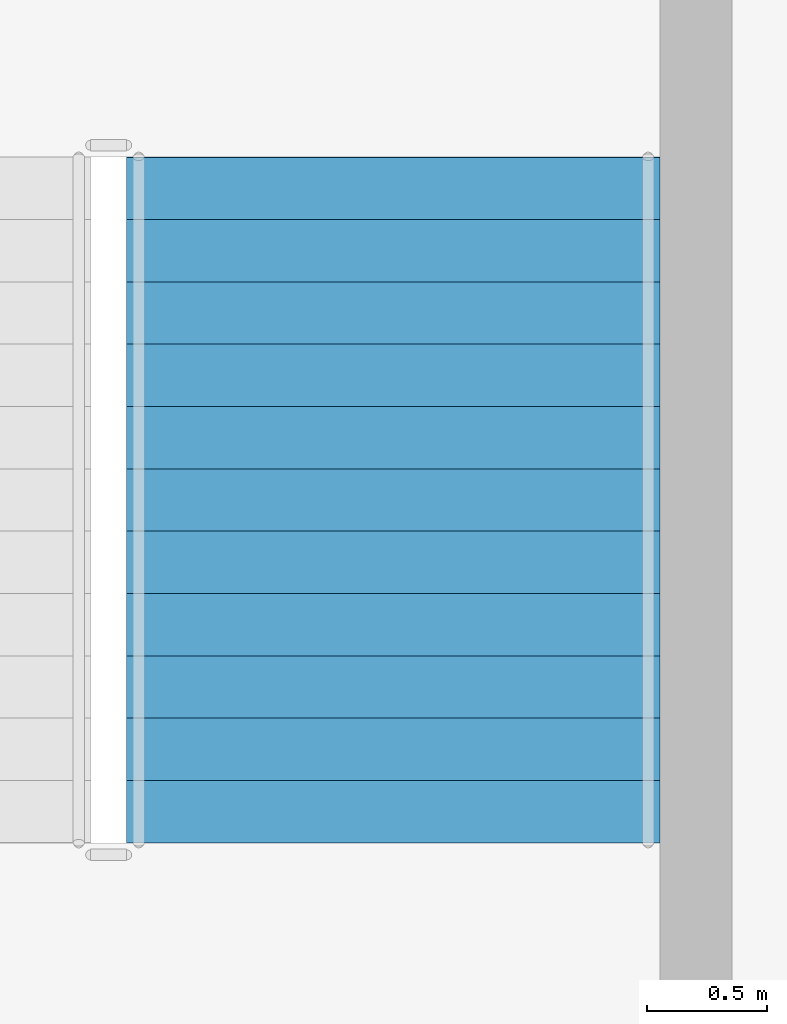
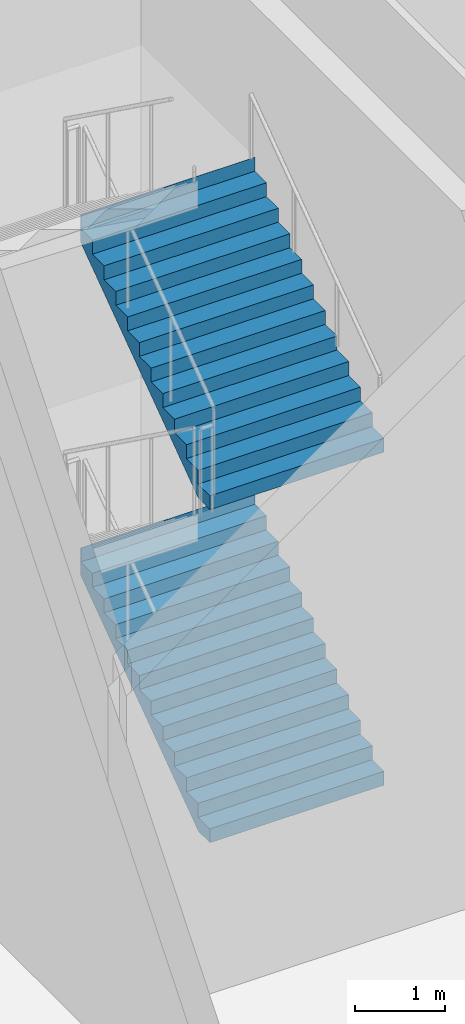
# One storey, part 24 of 35: 2 stair flights, 1 element without a shape of its own.
"""IFC4 building model written with IfcOpenShell, lengths in metres."""

import ifcopenshell
import ifcopenshell.guid

model = None  # the IFC model being written
_history = None  # IfcOwnerHistory: only IFC2X3 demands one
_inside = {}  # id of a spatial element -> (the spatial element, [elements in it])
_under = {}  # id of a project, library or spatial element -> (it, [spatial elements below it])
_declared = {}  # id of a project -> (the project, [libraries it declares])
_typed = {}  # id of a type object -> (the type object, [elements of that type])
_made_of = {}  # id of a material, layer set ... -> (it, [elements and type objects made of it])


def new_model(schema):
    """Start an empty IFC model of exactly this schema.

    Asked for "IFC4X3", IfcOpenShell would pick the latest addendum, in which some entities
    have other attributes; the version numbers below select the first issue.
    IFC2X3 requires an IfcOwnerHistory on every rooted entity: one is made here for all.
    """
    global model, _history
    if schema == "IFC4X3":
        model = ifcopenshell.file(schema_version=(4, 3, 0, 0))
    else:
        model = ifcopenshell.file(schema=schema)
    _inside.clear()
    _under.clear()
    _declared.clear()
    _typed.clear()
    _made_of.clear()
    _history = None
    if model.schema == "IFC2X3":
        org = make("IfcOrganization", Name="unknown")
        user = make(
            "IfcPersonAndOrganization",
            ThePerson=make("IfcPerson", FamilyName="unknown"),
            TheOrganization=org,
        )
        app = make(
            "IfcApplication",
            ApplicationDeveloper=org,
            Version="unknown",
            ApplicationFullName="unknown",
            ApplicationIdentifier="unknown",
        )
        _history = make(
            "IfcOwnerHistory",
            OwningUser=user,
            OwningApplication=app,
            ChangeAction="ADDED",
            CreationDate=0,
        )
    return model


def make(cls, **values):
    """One entity of the class cls with the attributes given. An attribute that is None is left unset."""
    return model.create_entity(
        cls, **{name: value for name, value in values.items() if value is not None}
    )


def rooted(cls, **values):
    """An entity with a GlobalId (a new one), such as an element, a storey or a relation."""
    return make(cls, GlobalId=ifcopenshell.guid.new(), OwnerHistory=_history, **values)


def si_unit(unit_type, name, prefix=None):
    """IfcSIUnit, for example si_unit("LENGTHUNIT", "METRE", prefix="MILLI")."""
    return make("IfcSIUnit", UnitType=unit_type, Prefix=prefix, Name=name)


def assignment(units):
    """IfcUnitAssignment: the units of a project."""
    return None if units is None else make("IfcUnitAssignment", Units=units)


def point(xyz):
    """IfcCartesianPoint."""
    return None if xyz is None else make("IfcCartesianPoint", Coordinates=xyz)


def direction(xyz):
    """IfcDirection."""
    return None if xyz is None else make("IfcDirection", DirectionRatios=xyz)


def frame(location, z_axis=None, x_axis=None):
    """IfcAxis2Placement3D, a coordinate frame: its origin and axes. An axis left out is left unset."""
    return make(
        "IfcAxis2Placement3D",
        Location=point(location),
        Axis=direction(z_axis),
        RefDirection=direction(x_axis),
    )


def origin():
    """The frame at (0, 0, 0) with its axes left unset."""
    return frame((0.0, 0.0, 0.0))


def place(relative_to, where):
    """IfcLocalPlacement: puts the frame where relative to a parent placement (None: the world)."""
    return make(
        "IfcLocalPlacement", PlacementRelTo=relative_to, RelativePlacement=where
    )


def context(
    kind, dimensions, precision=None, world=None, true_north=None, identifier=None
):
    """IfcGeometricRepresentationContext, for example the 3D "Model" context."""
    return make(
        "IfcGeometricRepresentationContext",
        ContextIdentifier=identifier,
        ContextType=kind,
        CoordinateSpaceDimension=dimensions,
        Precision=precision,
        WorldCoordinateSystem=world,
        TrueNorth=true_north,
    )


def subcontext(parent, identifier, kind, view, scale=None):
    """IfcGeometricRepresentationSubContext, for example "Body" below "Model"."""
    return make(
        "IfcGeometricRepresentationSubContext",
        ContextIdentifier=identifier,
        ContextType=kind,
        ParentContext=parent,
        TargetScale=scale,
        TargetView=view,
    )


def project(units=None, contexts=None):
    """IfcProject with its units and contexts."""
    return rooted(
        "IfcProject",
        Name="project",
        RepresentationContexts=contexts,
        UnitsInContext=assignment(units),
    )


def spatial(cls, under=None, at=None, **own):
    """A site, building, storey or space (cls), placed at a placement, below another one or the project."""
    s = rooted(cls, ObjectPlacement=at, **own)
    if under is not None:
        _under.setdefault(under.id(), (under, []))[1].append(s)
    return s


def point_list(points):
    """IfcCartesianPointList2D or 3D."""
    cls = (
        "IfcCartesianPointList2D" if len(points[0]) == 2 else "IfcCartesianPointList3D"
    )
    return make(cls, CoordList=points)


def triangles(points, corners, closed=None, point_numbers=None):
    """IfcTriangulatedFaceSet: each triangle names its three corners, points numbered from 1."""
    return make(
        "IfcTriangulatedFaceSet",
        Coordinates=point_list(points),
        Closed=closed,
        CoordIndex=corners,
        PnIndex=point_numbers,
    )


def shape(context_of_items, identifier, shape_type, items):
    """IfcShapeRepresentation: the items that make up one representation, for example the "Body"."""
    return make(
        "IfcShapeRepresentation",
        ContextOfItems=context_of_items,
        RepresentationIdentifier=identifier,
        RepresentationType=shape_type,
        Items=items,
    )


def material(Name=None, Category=None):
    """IfcMaterial."""
    return make("IfcMaterial", Name=Name, Category=Category)


def made_of(thing, what):
    """Note that an element or type object is made of a material, layer set ...; save() writes the relation."""
    if what is not None:
        _made_of.setdefault(what.id(), (what, []))[1].append(thing)
    return thing


def type_object(cls, material=None, **own):
    """A type object (cls), such as IfcWallType, which elements share."""
    return made_of(rooted(cls, **own), material)


def element(
    cls,
    number,
    at=None,
    inside=None,
    cuts=None,
    type_object=None,
    material=None,
    context=None,
    identifier="Body",
    shape_type=None,
    held_by="IfcProductDefinitionShape",
    body=None,
    shapes=None,
    **own,
):
    """One element of the class cls, such as IfcWall. Its Tag is "e" and its number.

    at: its placement. inside: the storey or other place that contains it. cuts: it is an
    opening in that element (IfcRelVoidsElement). A single representation is given by context,
    identifier, shape_type and body (its items); several are given by shapes. held_by: the class
    of the entity that holds the representations. save() writes the other relations.
    """
    e = rooted(cls, Tag="e%d" % number, ObjectPlacement=at, **own)
    if body is not None:
        shapes = [shape(context, identifier, shape_type, body)]
    if shapes is not None:
        e.Representation = make(held_by, Representations=shapes)
    if inside is not None:
        _inside.setdefault(inside.id(), (inside, []))[1].append(e)
    if cuts is not None:
        rooted(
            "IfcRelVoidsElement", RelatingBuildingElement=cuts, RelatedOpeningElement=e
        )
    if type_object is not None:
        _typed.setdefault(type_object.id(), (type_object, []))[1].append(e)
    return made_of(e, material)


def aggregate(whole, parts):
    """IfcRelAggregates: a whole, such as a stair, and the parts it consists of."""
    return rooted("IfcRelAggregates", RelatingObject=whole, RelatedObjects=parts)


def save(model, path):
    """Write the relations noted so far, then the file.

    IfcRelAggregates (storeys below a building ...), IfcRelContainedInSpatialStructure (elements
    in a storey), IfcRelDefinesByType, IfcRelAssociatesMaterial and IfcRelDeclares: one each for
    every whole, place, type object, material and project.
    """
    for whole, parts in _under.values():
        aggregate(whole, parts)
    for where, things in _inside.values():
        rooted(
            "IfcRelContainedInSpatialStructure",
            RelatedElements=things,
            RelatingStructure=where,
        )
    for kind, things in _typed.values():
        rooted("IfcRelDefinesByType", RelatedObjects=things, RelatingType=kind)
    for what, things in _made_of.values():
        rooted("IfcRelAssociatesMaterial", RelatedObjects=things, RelatingMaterial=what)
    for by, libraries in _declared.values():
        rooted("IfcRelDeclares", RelatingContext=by, RelatedDefinitions=libraries)
    model.write(path)


model = new_model("IFC4")

# Units and contexts
model_context = context("Model", 3, precision=1e-05, world=origin(), true_north=direction((0.0, 1.0)))
body_context = subcontext(model_context, "Body", "Model", "MODEL_VIEW")
ifc_project = project(units=[si_unit("LENGTHUNIT", "METRE"), si_unit("AREAUNIT", "SQUARE_METRE"), si_unit("VOLUMEUNIT", "CUBIC_METRE"), si_unit("PLANEANGLEUNIT", "RADIAN"), si_unit("MASSUNIT", "GRAM", prefix="KILO")], contexts=[model_context])

# Site, building, storey
site_placement = place(None, origin())
site = spatial("IfcSite", under=ifc_project, at=site_placement, CompositionType="ELEMENT")
building_placement = place(site_placement, origin())
building = spatial("IfcBuilding", under=site, at=building_placement, Name="Sahrelin Media Tower", CompositionType="ELEMENT")
storey_placement = place(building_placement, frame((0.0, 0.0, 17.0)))
storey = spatial("IfcBuildingStorey", under=building, at=storey_placement, Name="L02", CompositionType="ELEMENT", Elevation=17.0)

# Stair, stair flights
ifc_material = material(Name="Concrete C40/50", Category="concrete")
stair_type = type_object("IfcStairType", Name="Podium stair 2225", PredefinedType="HALF_TURN_STAIR", material=ifc_material)
stair_placement = place(storey_placement, origin())
stair = element("IfcStair", 1, at=stair_placement, inside=storey, type_object=stair_type, Name="L02 Podium stair PS2", PredefinedType="HALF_TURN_STAIR")
stair_flight_type = type_object("IfcStairFlightType", Name="Stair flight 2225", PredefinedType="STRAIGHT", material=ifc_material)
stair_flight_1_placement = place(storey_placement, frame((-9.46240234375, 30.625, 0.0), z_axis=(0.0, 0.0, 1.0), x_axis=(0.0, 1.0, 0.0)))
stair_flight_1 = element("IfcStairFlight", 2, at=stair_flight_1_placement, type_object=stair_flight_type, Name="PS2 flight 1", NumberOfRisers=12, NumberOfTreads=11, PredefinedType="STRAIGHT", RiserHeight=0.1875, TreadLength=0.26, context=body_context, shape_type="Tessellation", body=[
    triangles([(0.25634765625, 1.112548828125, 0.0), (0.25634765625, 0.794677734375, 0.0), (0.25634765625, 0.476806640625, 0.0), (0.25634765625, 0.158935546875, 0.0), (0.25634765625, -0.158935546875, 0.0), (0.25634765625, -0.476806640625, 0.0), (0.25634765625, -0.794677734375, 0.0), (0.25634765625, -1.112548828125, 0.0), (2.860107421875, 1.112548828125, 1.877685546875), (2.860107421875, 0.794677734375, 1.877685546875), (2.860107421875, 0.476806640625, 1.877685546875), (2.860107421875, 0.158935546875, 1.877685546875), (2.860107421875, -0.158935546875, 1.877685546875), (2.860107421875, -0.476806640625, 1.877685546875), (2.860107421875, -0.794677734375, 1.877685546875), (2.860107421875, -1.112548828125, 1.877685546875), (2.860107421875, 1.112548828125, 2.25), (2.860107421875, 0.794677734375, 2.25), (2.860107421875, 0.476806640625, 2.25), (2.860107421875, 0.158935546875, 2.25), (2.860107421875, -0.158935546875, 2.25), (2.860107421875, -0.476806640625, 2.25), (2.860107421875, -0.794677734375, 2.25), (2.860107421875, -1.112548828125, 2.25), (2.85791015625, 1.112548828125, 2.25), (2.85791015625, 0.794677734375, 2.25), (2.85791015625, 0.476806640625, 2.25), (2.85791015625, 0.158935546875, 2.25), (2.85791015625, -0.158935546875, 2.25), (2.85791015625, -0.476806640625, 2.25), (2.85791015625, -0.794677734375, 2.25), (2.85791015625, -1.112548828125, 2.25), (2.85791015625, 1.112548828125, 2.0625), (2.85791015625, 0.794677734375, 2.0625), (2.85791015625, 0.476806640625, 2.0625), (2.85791015625, 0.158935546875, 2.0625), (2.85791015625, -0.158935546875, 2.0625), (2.85791015625, -0.476806640625, 2.0625), (2.85791015625, -0.794677734375, 2.0625), (2.85791015625, -1.112548828125, 2.0625), (2.60009765625, 1.112548828125, 2.0625), (2.60009765625, 0.794677734375, 2.0625), (2.60009765625, 0.476806640625, 2.0625), (2.60009765625, 0.158935546875, 2.0625), (2.60009765625, -0.158935546875, 2.0625), (2.60009765625, -0.476806640625, 2.0625), (2.60009765625, -0.794677734375, 2.0625), (2.60009765625, -1.112548828125, 2.0625), (2.60009765625, 1.112548828125, 1.875), (2.60009765625, 0.794677734375, 1.875), (2.60009765625, 0.476806640625, 1.875), (2.60009765625, 0.158935546875, 1.875), (2.60009765625, -0.158935546875, 1.875), (2.60009765625, -0.476806640625, 1.875), (2.60009765625, -0.794677734375, 1.875), (2.60009765625, -1.112548828125, 1.875), (2.340087890625, 1.112548828125, 1.875), (2.340087890625, 0.794677734375, 1.875), (2.340087890625, 0.476806640625, 1.875), (2.340087890625, 0.158935546875, 1.875), (2.340087890625, -0.158935546875, 1.875), (2.340087890625, -0.476806640625, 1.875), (2.340087890625, -0.794677734375, 1.875), (2.340087890625, -1.112548828125, 1.875), (2.340087890625, 1.112548828125, 1.6875), (2.340087890625, 0.794677734375, 1.6875), (2.340087890625, 0.476806640625, 1.6875), (2.340087890625, 0.158935546875, 1.6875), (2.340087890625, -0.158935546875, 1.6875), (2.340087890625, -0.476806640625, 1.6875), (2.340087890625, -0.794677734375, 1.6875), (2.340087890625, -1.112548828125, 1.6875), (2.080078125, 1.112548828125, 1.6875), (2.080078125, 0.794677734375, 1.6875), (2.080078125, 0.476806640625, 1.6875), (2.080078125, 0.158935546875, 1.6875), (2.080078125, -0.158935546875, 1.6875), (2.080078125, -0.476806640625, 1.6875), (2.080078125, -0.794677734375, 1.6875), (2.080078125, -1.112548828125, 1.6875), (2.080078125, 1.112548828125, 1.5), (2.080078125, 0.794677734375, 1.5), (2.080078125, 0.476806640625, 1.5), (2.080078125, 0.158935546875, 1.5), (2.080078125, -0.158935546875, 1.5), (2.080078125, -0.476806640625, 1.5), (2.080078125, -0.794677734375, 1.5), (2.080078125, -1.112548828125, 1.5), (1.820068359375, 1.112548828125, 1.5), (1.820068359375, 0.794677734375, 1.5), (1.820068359375, 0.476806640625, 1.5), (1.820068359375, 0.158935546875, 1.5), (1.820068359375, -0.158935546875, 1.5), (1.820068359375, -0.476806640625, 1.5), (1.820068359375, -0.794677734375, 1.5), (1.820068359375, -1.112548828125, 1.5), (1.820068359375, 1.112548828125, 1.3125), (1.820068359375, 0.794677734375, 1.3125), (1.820068359375, 0.476806640625, 1.3125), (1.820068359375, 0.158935546875, 1.3125), (1.820068359375, -0.158935546875, 1.3125), (1.820068359375, -0.476806640625, 1.3125), (1.820068359375, -0.794677734375, 1.3125), (1.820068359375, -1.112548828125, 1.3125), (1.56005859375, 1.112548828125, 1.3125), (1.56005859375, 0.794677734375, 1.3125), (1.56005859375, 0.476806640625, 1.3125), (1.56005859375, 0.158935546875, 1.3125), (1.56005859375, -0.158935546875, 1.3125), (1.56005859375, -0.476806640625, 1.3125), (1.56005859375, -0.794677734375, 1.3125), (1.56005859375, -1.112548828125, 1.3125), (1.56005859375, 1.112548828125, 1.125), (1.56005859375, 0.794677734375, 1.125), (1.56005859375, 0.476806640625, 1.125), (1.56005859375, 0.158935546875, 1.125), (1.56005859375, -0.158935546875, 1.125), (1.56005859375, -0.476806640625, 1.125), (1.56005859375, -0.794677734375, 1.125), (1.56005859375, -1.112548828125, 1.125), (1.300048828125, 1.112548828125, 1.125), (1.300048828125, 0.794677734375, 1.125), (1.300048828125, 0.476806640625, 1.125), (1.300048828125, 0.158935546875, 1.125), (1.300048828125, -0.158935546875, 1.125), (1.300048828125, -0.476806640625, 1.125), (1.300048828125, -0.794677734375, 1.125), (1.300048828125, -1.112548828125, 1.125), (1.300048828125, 1.112548828125, 0.9375), (1.300048828125, 0.794677734375, 0.9375), (1.300048828125, 0.476806640625, 0.9375), (1.300048828125, 0.158935546875, 0.9375), (1.300048828125, -0.158935546875, 0.9375), (1.300048828125, -0.476806640625, 0.9375), (1.300048828125, -0.794677734375, 0.9375), (1.300048828125, -1.112548828125, 0.9375), (1.0400390625, 1.112548828125, 0.9375), (1.0400390625, 0.794677734375, 0.9375), (1.0400390625, 0.476806640625, 0.9375), (1.0400390625, 0.158935546875, 0.9375), (1.0400390625, -0.158935546875, 0.9375), (1.0400390625, -0.476806640625, 0.9375), (1.0400390625, -0.794677734375, 0.9375), (1.0400390625, -1.112548828125, 0.9375), (1.0400390625, 1.112548828125, 0.75), (1.0400390625, 0.794677734375, 0.75), (1.0400390625, 0.476806640625, 0.75), (1.0400390625, 0.158935546875, 0.75), (1.0400390625, -0.158935546875, 0.75), (1.0400390625, -0.476806640625, 0.75), (1.0400390625, -0.794677734375, 0.75), (1.0400390625, -1.112548828125, 0.75), (0.780029296875, 1.112548828125, 0.75), (0.780029296875, 0.794677734375, 0.75), (0.780029296875, 0.476806640625, 0.75), (0.780029296875, 0.158935546875, 0.75), (0.780029296875, -0.158935546875, 0.75), (0.780029296875, -0.476806640625, 0.75), (0.780029296875, -0.794677734375, 0.75), (0.780029296875, -1.112548828125, 0.75), (0.780029296875, 1.112548828125, 0.5625), (0.780029296875, 0.794677734375, 0.5625), (0.780029296875, 0.476806640625, 0.5625), (0.780029296875, 0.158935546875, 0.5625), (0.780029296875, -0.158935546875, 0.5625), (0.780029296875, -0.476806640625, 0.5625), (0.780029296875, -0.794677734375, 0.5625), (0.780029296875, -1.112548828125, 0.5625), (0.52001953125, 1.112548828125, 0.5625), (0.52001953125, 0.794677734375, 0.5625), (0.52001953125, 0.476806640625, 0.5625), (0.52001953125, 0.158935546875, 0.5625), (0.52001953125, -0.158935546875, 0.5625), (0.52001953125, -0.476806640625, 0.5625), (0.52001953125, -0.794677734375, 0.5625), (0.52001953125, -1.112548828125, 0.5625), (0.52001953125, 1.112548828125, 0.375), (0.52001953125, 0.794677734375, 0.375), (0.52001953125, 0.476806640625, 0.375), (0.52001953125, 0.158935546875, 0.375), (0.52001953125, -0.158935546875, 0.375), (0.52001953125, -0.476806640625, 0.375), (0.52001953125, -0.794677734375, 0.375), (0.52001953125, -1.112548828125, 0.375), (0.260009765625, 1.112548828125, 0.375), (0.260009765625, 0.794677734375, 0.375), (0.260009765625, 0.476806640625, 0.375), (0.260009765625, 0.158935546875, 0.375), (0.260009765625, -0.158935546875, 0.375), (0.260009765625, -0.476806640625, 0.375), (0.260009765625, -0.794677734375, 0.375), (0.260009765625, -1.112548828125, 0.375), (0.260009765625, 1.112548828125, 0.1875), (0.260009765625, 0.794677734375, 0.1875), (0.260009765625, 0.476806640625, 0.1875), (0.260009765625, 0.158935546875, 0.1875), (0.260009765625, -0.158935546875, 0.1875), (0.260009765625, -0.476806640625, 0.1875), (0.260009765625, -0.794677734375, 0.1875), (0.260009765625, -1.112548828125, 0.1875), (0.0, 1.112548828125, 0.1875), (0.0, 0.794677734375, 0.1875), (0.0, 0.476806640625, 0.1875), (0.0, 0.158935546875, 0.1875), (0.0, -0.158935546875, 0.1875), (0.0, -0.476806640625, 0.1875), (0.0, -0.794677734375, 0.1875), (0.0, -1.112548828125, 0.1875), (0.0, 1.112548828125, 0.0), (0.0, 0.794677734375, 0.0), (0.0, 0.476806640625, 0.0), (0.0, 0.158935546875, 0.0), (0.0, -0.158935546875, 0.0), (0.0, -0.476806640625, 0.0), (0.0, -0.794677734375, 0.0), (0.0, -1.112548828125, 0.0)], [[1, 9, 10], [1, 10, 2], [2, 10, 11], [2, 11, 3], [3, 11, 12], [3, 12, 4], [4, 12, 13], [4, 13, 5], [5, 13, 14], [5, 14, 6], [6, 14, 15], [6, 15, 7], [7, 15, 16], [7, 16, 8], [9, 17, 18], [9, 18, 10], [10, 18, 19], [10, 19, 11], [11, 19, 20], [11, 20, 12], [12, 20, 21], [12, 21, 13], [13, 21, 22], [13, 22, 14], [14, 22, 23], [14, 23, 15], [15, 23, 24], [15, 24, 16], [17, 25, 26], [17, 26, 18], [18, 26, 27], [18, 27, 19], [19, 27, 28], [19, 28, 20], [20, 28, 29], [20, 29, 21], [21, 29, 30], [21, 30, 22], [22, 30, 31], [22, 31, 23], [23, 31, 32], [23, 32, 24], [25, 33, 34], [25, 34, 26], [26, 34, 35], [26, 35, 27], [27, 35, 36], [27, 36, 28], [28, 36, 37], [28, 37, 29], [29, 37, 38], [29, 38, 30], [30, 38, 39], [30, 39, 31], [31, 39, 40], [31, 40, 32], [33, 41, 42], [33, 42, 34], [34, 42, 43], [34, 43, 35], [35, 43, 44], [35, 44, 36], [36, 44, 45], [36, 45, 37], [37, 45, 46], [37, 46, 38], [38, 46, 47], [38, 47, 39], [39, 47, 48], [39, 48, 40], [41, 49, 50], [41, 50, 42], [42, 50, 51], [42, 51, 43], [43, 51, 52], [43, 52, 44], [44, 52, 53], [44, 53, 45], [45, 53, 54], [45, 54, 46], [46, 54, 55], [46, 55, 47], [47, 55, 56], [47, 56, 48], [49, 57, 58], [49, 58, 50], [50, 58, 59], [50, 59, 51], [51, 59, 60], [51, 60, 52], [52, 60, 61], [52, 61, 53], [53, 61, 62], [53, 62, 54], [54, 62, 63], [54, 63, 55], [55, 63, 64], [55, 64, 56], [57, 65, 66], [57, 66, 58], [58, 66, 67], [58, 67, 59], [59, 67, 68], [59, 68, 60], [60, 68, 69], [60, 69, 61], [61, 69, 70], [61, 70, 62], [62, 70, 71], [62, 71, 63], [63, 71, 72], [63, 72, 64], [65, 73, 74], [65, 74, 66], [66, 74, 75], [66, 75, 67], [67, 75, 76], [67, 76, 68], [68, 76, 77], [68, 77, 69], [69, 77, 78], [69, 78, 70], [70, 78, 79], [70, 79, 71], [71, 79, 80], [71, 80, 72], [73, 81, 82], [73, 82, 74], [74, 82, 83], [74, 83, 75], [75, 83, 84], [75, 84, 76], [76, 84, 85], [76, 85, 77], [77, 85, 86], [77, 86, 78], [78, 86, 87], [78, 87, 79], [79, 87, 88], [79, 88, 80], [81, 89, 90], [81, 90, 82], [82, 90, 91], [82, 91, 83], [83, 91, 92], [83, 92, 84], [84, 92, 93], [84, 93, 85], [85, 93, 94], [85, 94, 86], [86, 94, 95], [86, 95, 87], [87, 95, 96], [87, 96, 88], [89, 97, 98], [89, 98, 90], [90, 98, 99], [90, 99, 91], [91, 99, 100], [91, 100, 92], [92, 100, 101], [92, 101, 93], [93, 101, 102], [93, 102, 94], [94, 102, 103], [94, 103, 95], [95, 103, 104], [95, 104, 96], [97, 105, 106], [97, 106, 98], [98, 106, 107], [98, 107, 99], [99, 107, 108], [99, 108, 100], [100, 108, 109], [100, 109, 101], [101, 109, 110], [101, 110, 102], [102, 110, 111], [102, 111, 103], [103, 111, 112], [103, 112, 104], [105, 113, 114], [105, 114, 106], [106, 114, 115], [106, 115, 107], [107, 115, 116], [107, 116, 108], [108, 116, 117], [108, 117, 109], [109, 117, 118], [109, 118, 110], [110, 118, 119], [110, 119, 111], [111, 119, 120], [111, 120, 112], [113, 121, 122], [113, 122, 114], [114, 122, 123], [114, 123, 115], [115, 123, 124], [115, 124, 116], [116, 124, 125], [116, 125, 117], [117, 125, 126], [117, 126, 118], [118, 126, 127], [118, 127, 119], [119, 127, 128], [119, 128, 120], [121, 129, 130], [121, 130, 122], [122, 130, 131], [122, 131, 123], [123, 131, 132], [123, 132, 124], [124, 132, 133], [124, 133, 125], [125, 133, 134], [125, 134, 126], [126, 134, 135], [126, 135, 127], [127, 135, 136], [127, 136, 128], [129, 137, 138], [129, 138, 130], [130, 138, 139], [130, 139, 131], [131, 139, 140], [131, 140, 132], [132, 140, 141], [132, 141, 133], [133, 141, 142], [133, 142, 134], [134, 142, 143], [134, 143, 135], [135, 143, 144], [135, 144, 136], [137, 145, 146], [137, 146, 138], [138, 146, 147], [138, 147, 139], [139, 147, 148], [139, 148, 140], [140, 148, 149], [140, 149, 141], [141, 149, 150], [141, 150, 142], [142, 150, 151], [142, 151, 143], [143, 151, 152], [143, 152, 144], [145, 153, 154], [145, 154, 146], [146, 154, 155], [146, 155, 147], [147, 155, 156], [147, 156, 148], [148, 156, 157], [148, 157, 149], [149, 157, 158], [149, 158, 150], [150, 158, 159], [150, 159, 151], [151, 159, 160], [151, 160, 152], [153, 161, 162], [153, 162, 154], [154, 162, 163], [154, 163, 155], [155, 163, 164], [155, 164, 156], [156, 164, 165], [156, 165, 157], [157, 165, 166], [157, 166, 158], [158, 166, 167], [158, 167, 159], [159, 167, 168], [159, 168, 160], [161, 169, 170], [161, 170, 162], [162, 170, 171], [162, 171, 163], [163, 171, 172], [163, 172, 164], [164, 172, 173], [164, 173, 165], [165, 173, 174], [165, 174, 166], [166, 174, 175], [166, 175, 167], [167, 175, 176], [167, 176, 168], [169, 177, 178], [169, 178, 170], [170, 178, 179], [170, 179, 171], [171, 179, 180], [171, 180, 172], [172, 180, 181], [172, 181, 173], [173, 181, 182], [173, 182, 174], [174, 182, 183], [174, 183, 175], [175, 183, 184], [175, 184, 176], [177, 185, 186], [177, 186, 178], [178, 186, 187], [178, 187, 179], [179, 187, 188], [179, 188, 180], [180, 188, 189], [180, 189, 181], [181, 189, 190], [181, 190, 182], [182, 190, 191], [182, 191, 183], [183, 191, 192], [183, 192, 184], [185, 193, 194], [185, 194, 186], [186, 194, 195], [186, 195, 187], [187, 195, 196], [187, 196, 188], [188, 196, 197], [188, 197, 189], [189, 197, 198], [189, 198, 190], [190, 198, 199], [190, 199, 191], [191, 199, 200], [191, 200, 192], [193, 201, 202], [193, 202, 194], [194, 202, 203], [194, 203, 195], [195, 203, 204], [195, 204, 196], [196, 204, 205], [196, 205, 197], [197, 205, 206], [197, 206, 198], [198, 206, 207], [198, 207, 199], [199, 207, 208], [199, 208, 200], [201, 209, 210], [201, 210, 202], [202, 210, 211], [202, 211, 203], [203, 211, 212], [203, 212, 204], [204, 212, 213], [204, 213, 205], [205, 213, 214], [205, 214, 206], [206, 214, 215], [206, 215, 207], [207, 215, 216], [207, 216, 208], [209, 1, 2], [209, 2, 210], [210, 2, 3], [210, 3, 211], [211, 3, 4], [211, 4, 212], [212, 4, 5], [212, 5, 213], [213, 5, 6], [213, 6, 214], [214, 6, 7], [214, 7, 215], [215, 7, 8], [215, 8, 216], [8, 208, 216], [1, 209, 201], [200, 184, 192], [193, 185, 177], [184, 168, 176], [177, 169, 161], [168, 152, 160], [161, 153, 145], [152, 136, 144], [145, 137, 129], [136, 120, 128], [129, 121, 113], [120, 104, 112], [113, 105, 97], [104, 88, 96], [97, 89, 81], [88, 72, 80], [81, 73, 65], [72, 56, 64], [65, 57, 49], [56, 40, 48], [49, 41, 33], [40, 24, 32], [33, 25, 17], [8, 200, 208], [1, 201, 193], [16, 56, 72], [9, 65, 49], [40, 16, 24], [33, 17, 9], [184, 200, 8], [177, 1, 193], [56, 16, 40], [49, 33, 9], [168, 184, 8], [161, 1, 177], [72, 88, 16], [65, 9, 81], [152, 168, 8], [145, 1, 161], [104, 16, 88], [97, 81, 9], [136, 152, 8], [129, 1, 145], [120, 16, 104], [113, 97, 9], [120, 136, 8], [113, 1, 129], [8, 16, 120], [1, 113, 9]], closed=True),
])
stair_flight_2_placement = place(storey_placement, frame((-9.46240234375, 30.625, 4.5), z_axis=(0.0, 0.0, 1.0), x_axis=(0.0, 1.0, 0.0)))
stair_flight_2 = element("IfcStairFlight", 3, at=stair_flight_2_placement, type_object=stair_flight_type, Name="PS2 flight 3", NumberOfRisers=12, NumberOfTreads=11, PredefinedType="STRAIGHT", RiserHeight=0.1875, TreadLength=0.26, context=body_context, shape_type="Tessellation", body=[
    triangles([(0.25634765625, 1.112548828125, 0.0), (0.25634765625, 0.794677734375, 0.0), (0.25634765625, 0.476806640625, 0.0), (0.25634765625, 0.158935546875, 0.0), (0.25634765625, -0.158935546875, 0.0), (0.25634765625, -0.476806640625, 0.0), (0.25634765625, -0.794677734375, 0.0), (0.25634765625, -1.112548828125, 0.0), (2.860107421875, 1.112548828125, 1.877685546875), (2.860107421875, 0.794677734375, 1.877685546875), (2.860107421875, 0.476806640625, 1.877685546875), (2.860107421875, 0.158935546875, 1.877685546875), (2.860107421875, -0.158935546875, 1.877685546875), (2.860107421875, -0.476806640625, 1.877685546875), (2.860107421875, -0.794677734375, 1.877685546875), (2.860107421875, -1.112548828125, 1.877685546875), (2.860107421875, 1.112548828125, 2.25), (2.860107421875, 0.794677734375, 2.25), (2.860107421875, 0.476806640625, 2.25), (2.860107421875, 0.158935546875, 2.25), (2.860107421875, -0.158935546875, 2.25), (2.860107421875, -0.476806640625, 2.25), (2.860107421875, -0.794677734375, 2.25), (2.860107421875, -1.112548828125, 2.25), (2.85791015625, 1.112548828125, 2.25), (2.85791015625, 0.794677734375, 2.25), (2.85791015625, 0.476806640625, 2.25), (2.85791015625, 0.158935546875, 2.25), (2.85791015625, -0.158935546875, 2.25), (2.85791015625, -0.476806640625, 2.25), (2.85791015625, -0.794677734375, 2.25), (2.85791015625, -1.112548828125, 2.25), (2.85791015625, 1.112548828125, 2.0625), (2.85791015625, 0.794677734375, 2.0625), (2.85791015625, 0.476806640625, 2.0625), (2.85791015625, 0.158935546875, 2.0625), (2.85791015625, -0.158935546875, 2.0625), (2.85791015625, -0.476806640625, 2.0625), (2.85791015625, -0.794677734375, 2.0625), (2.85791015625, -1.112548828125, 2.0625), (2.60009765625, 1.112548828125, 2.0625), (2.60009765625, 0.794677734375, 2.0625), (2.60009765625, 0.476806640625, 2.0625), (2.60009765625, 0.158935546875, 2.0625), (2.60009765625, -0.158935546875, 2.0625), (2.60009765625, -0.476806640625, 2.0625), (2.60009765625, -0.794677734375, 2.0625), (2.60009765625, -1.112548828125, 2.0625), (2.60009765625, 1.112548828125, 1.875), (2.60009765625, 0.794677734375, 1.875), (2.60009765625, 0.476806640625, 1.875), (2.60009765625, 0.158935546875, 1.875), (2.60009765625, -0.158935546875, 1.875), (2.60009765625, -0.476806640625, 1.875), (2.60009765625, -0.794677734375, 1.875), (2.60009765625, -1.112548828125, 1.875), (2.340087890625, 1.112548828125, 1.875), (2.340087890625, 0.794677734375, 1.875), (2.340087890625, 0.476806640625, 1.875), (2.340087890625, 0.158935546875, 1.875), (2.340087890625, -0.158935546875, 1.875), (2.340087890625, -0.476806640625, 1.875), (2.340087890625, -0.794677734375, 1.875), (2.340087890625, -1.112548828125, 1.875), (2.340087890625, 1.112548828125, 1.6875), (2.340087890625, 0.794677734375, 1.6875), (2.340087890625, 0.476806640625, 1.6875), (2.340087890625, 0.158935546875, 1.6875), (2.340087890625, -0.158935546875, 1.6875), (2.340087890625, -0.476806640625, 1.6875), (2.340087890625, -0.794677734375, 1.6875), (2.340087890625, -1.112548828125, 1.6875), (2.080078125, 1.112548828125, 1.6875), (2.080078125, 0.794677734375, 1.6875), (2.080078125, 0.476806640625, 1.6875), (2.080078125, 0.158935546875, 1.6875), (2.080078125, -0.158935546875, 1.6875), (2.080078125, -0.476806640625, 1.6875), (2.080078125, -0.794677734375, 1.6875), (2.080078125, -1.112548828125, 1.6875), (2.080078125, 1.112548828125, 1.5), (2.080078125, 0.794677734375, 1.5), (2.080078125, 0.476806640625, 1.5), (2.080078125, 0.158935546875, 1.5), (2.080078125, -0.158935546875, 1.5), (2.080078125, -0.476806640625, 1.5), (2.080078125, -0.794677734375, 1.5), (2.080078125, -1.112548828125, 1.5), (1.820068359375, 1.112548828125, 1.5), (1.820068359375, 0.794677734375, 1.5), (1.820068359375, 0.476806640625, 1.5), (1.820068359375, 0.158935546875, 1.5), (1.820068359375, -0.158935546875, 1.5), (1.820068359375, -0.476806640625, 1.5), (1.820068359375, -0.794677734375, 1.5), (1.820068359375, -1.112548828125, 1.5), (1.820068359375, 1.112548828125, 1.3125), (1.820068359375, 0.794677734375, 1.3125), (1.820068359375, 0.476806640625, 1.3125), (1.820068359375, 0.158935546875, 1.3125), (1.820068359375, -0.158935546875, 1.3125), (1.820068359375, -0.476806640625, 1.3125), (1.820068359375, -0.794677734375, 1.3125), (1.820068359375, -1.112548828125, 1.3125), (1.56005859375, 1.112548828125, 1.3125), (1.56005859375, 0.794677734375, 1.3125), (1.56005859375, 0.476806640625, 1.3125), (1.56005859375, 0.158935546875, 1.3125), (1.56005859375, -0.158935546875, 1.3125), (1.56005859375, -0.476806640625, 1.3125), (1.56005859375, -0.794677734375, 1.3125), (1.56005859375, -1.112548828125, 1.3125), (1.56005859375, 1.112548828125, 1.125), (1.56005859375, 0.794677734375, 1.125), (1.56005859375, 0.476806640625, 1.125), (1.56005859375, 0.158935546875, 1.125), (1.56005859375, -0.158935546875, 1.125), (1.56005859375, -0.476806640625, 1.125), (1.56005859375, -0.794677734375, 1.125), (1.56005859375, -1.112548828125, 1.125), (1.300048828125, 1.112548828125, 1.125), (1.300048828125, 0.794677734375, 1.125), (1.300048828125, 0.476806640625, 1.125), (1.300048828125, 0.158935546875, 1.125), (1.300048828125, -0.158935546875, 1.125), (1.300048828125, -0.476806640625, 1.125), (1.300048828125, -0.794677734375, 1.125), (1.300048828125, -1.112548828125, 1.125), (1.300048828125, 1.112548828125, 0.9375), (1.300048828125, 0.794677734375, 0.9375), (1.300048828125, 0.476806640625, 0.9375), (1.300048828125, 0.158935546875, 0.9375), (1.300048828125, -0.158935546875, 0.9375), (1.300048828125, -0.476806640625, 0.9375), (1.300048828125, -0.794677734375, 0.9375), (1.300048828125, -1.112548828125, 0.9375), (1.0400390625, 1.112548828125, 0.9375), (1.0400390625, 0.794677734375, 0.9375), (1.0400390625, 0.476806640625, 0.9375), (1.0400390625, 0.158935546875, 0.9375), (1.0400390625, -0.158935546875, 0.9375), (1.0400390625, -0.476806640625, 0.9375), (1.0400390625, -0.794677734375, 0.9375), (1.0400390625, -1.112548828125, 0.9375), (1.0400390625, 1.112548828125, 0.75), (1.0400390625, 0.794677734375, 0.75), (1.0400390625, 0.476806640625, 0.75), (1.0400390625, 0.158935546875, 0.75), (1.0400390625, -0.158935546875, 0.75), (1.0400390625, -0.476806640625, 0.75), (1.0400390625, -0.794677734375, 0.75), (1.0400390625, -1.112548828125, 0.75), (0.780029296875, 1.112548828125, 0.75), (0.780029296875, 0.794677734375, 0.75), (0.780029296875, 0.476806640625, 0.75), (0.780029296875, 0.158935546875, 0.75), (0.780029296875, -0.158935546875, 0.75), (0.780029296875, -0.476806640625, 0.75), (0.780029296875, -0.794677734375, 0.75), (0.780029296875, -1.112548828125, 0.75), (0.780029296875, 1.112548828125, 0.5625), (0.780029296875, 0.794677734375, 0.5625), (0.780029296875, 0.476806640625, 0.5625), (0.780029296875, 0.158935546875, 0.5625), (0.780029296875, -0.158935546875, 0.5625), (0.780029296875, -0.476806640625, 0.5625), (0.780029296875, -0.794677734375, 0.5625), (0.780029296875, -1.112548828125, 0.5625), (0.52001953125, 1.112548828125, 0.5625), (0.52001953125, 0.794677734375, 0.5625), (0.52001953125, 0.476806640625, 0.5625), (0.52001953125, 0.158935546875, 0.5625), (0.52001953125, -0.158935546875, 0.5625), (0.52001953125, -0.476806640625, 0.5625), (0.52001953125, -0.794677734375, 0.5625), (0.52001953125, -1.112548828125, 0.5625), (0.52001953125, 1.112548828125, 0.375), (0.52001953125, 0.794677734375, 0.375), (0.52001953125, 0.476806640625, 0.375), (0.52001953125, 0.158935546875, 0.375), (0.52001953125, -0.158935546875, 0.375), (0.52001953125, -0.476806640625, 0.375), (0.52001953125, -0.794677734375, 0.375), (0.52001953125, -1.112548828125, 0.375), (0.260009765625, 1.112548828125, 0.375), (0.260009765625, 0.794677734375, 0.375), (0.260009765625, 0.476806640625, 0.375), (0.260009765625, 0.158935546875, 0.375), (0.260009765625, -0.158935546875, 0.375), (0.260009765625, -0.476806640625, 0.375), (0.260009765625, -0.794677734375, 0.375), (0.260009765625, -1.112548828125, 0.375), (0.260009765625, 1.112548828125, 0.1875), (0.260009765625, 0.794677734375, 0.1875), (0.260009765625, 0.476806640625, 0.1875), (0.260009765625, 0.158935546875, 0.1875), (0.260009765625, -0.158935546875, 0.1875), (0.260009765625, -0.476806640625, 0.1875), (0.260009765625, -0.794677734375, 0.1875), (0.260009765625, -1.112548828125, 0.1875), (0.0, 1.112548828125, 0.1875), (0.0, 0.794677734375, 0.1875), (0.0, 0.476806640625, 0.1875), (0.0, 0.158935546875, 0.1875), (0.0, -0.158935546875, 0.1875), (0.0, -0.476806640625, 0.1875), (0.0, -0.794677734375, 0.1875), (0.0, -1.112548828125, 0.1875), (0.0, 1.112548828125, 0.0), (0.0, 0.794677734375, 0.0), (0.0, 0.476806640625, 0.0), (0.0, 0.158935546875, 0.0), (0.0, -0.158935546875, 0.0), (0.0, -0.476806640625, 0.0), (0.0, -0.794677734375, 0.0), (0.0, -1.112548828125, 0.0)], [[1, 9, 10], [1, 10, 2], [2, 10, 11], [2, 11, 3], [3, 11, 12], [3, 12, 4], [4, 12, 13], [4, 13, 5], [5, 13, 14], [5, 14, 6], [6, 14, 15], [6, 15, 7], [7, 15, 16], [7, 16, 8], [9, 17, 18], [9, 18, 10], [10, 18, 19], [10, 19, 11], [11, 19, 20], [11, 20, 12], [12, 20, 21], [12, 21, 13], [13, 21, 22], [13, 22, 14], [14, 22, 23], [14, 23, 15], [15, 23, 24], [15, 24, 16], [17, 25, 26], [17, 26, 18], [18, 26, 27], [18, 27, 19], [19, 27, 28], [19, 28, 20], [20, 28, 29], [20, 29, 21], [21, 29, 30], [21, 30, 22], [22, 30, 31], [22, 31, 23], [23, 31, 32], [23, 32, 24], [25, 33, 34], [25, 34, 26], [26, 34, 35], [26, 35, 27], [27, 35, 36], [27, 36, 28], [28, 36, 37], [28, 37, 29], [29, 37, 38], [29, 38, 30], [30, 38, 39], [30, 39, 31], [31, 39, 40], [31, 40, 32], [33, 41, 42], [33, 42, 34], [34, 42, 43], [34, 43, 35], [35, 43, 44], [35, 44, 36], [36, 44, 45], [36, 45, 37], [37, 45, 46], [37, 46, 38], [38, 46, 47], [38, 47, 39], [39, 47, 48], [39, 48, 40], [41, 49, 50], [41, 50, 42], [42, 50, 51], [42, 51, 43], [43, 51, 52], [43, 52, 44], [44, 52, 53], [44, 53, 45], [45, 53, 54], [45, 54, 46], [46, 54, 55], [46, 55, 47], [47, 55, 56], [47, 56, 48], [49, 57, 58], [49, 58, 50], [50, 58, 59], [50, 59, 51], [51, 59, 60], [51, 60, 52], [52, 60, 61], [52, 61, 53], [53, 61, 62], [53, 62, 54], [54, 62, 63], [54, 63, 55], [55, 63, 64], [55, 64, 56], [57, 65, 66], [57, 66, 58], [58, 66, 67], [58, 67, 59], [59, 67, 68], [59, 68, 60], [60, 68, 69], [60, 69, 61], [61, 69, 70], [61, 70, 62], [62, 70, 71], [62, 71, 63], [63, 71, 72], [63, 72, 64], [65, 73, 74], [65, 74, 66], [66, 74, 75], [66, 75, 67], [67, 75, 76], [67, 76, 68], [68, 76, 77], [68, 77, 69], [69, 77, 78], [69, 78, 70], [70, 78, 79], [70, 79, 71], [71, 79, 80], [71, 80, 72], [73, 81, 82], [73, 82, 74], [74, 82, 83], [74, 83, 75], [75, 83, 84], [75, 84, 76], [76, 84, 85], [76, 85, 77], [77, 85, 86], [77, 86, 78], [78, 86, 87], [78, 87, 79], [79, 87, 88], [79, 88, 80], [81, 89, 90], [81, 90, 82], [82, 90, 91], [82, 91, 83], [83, 91, 92], [83, 92, 84], [84, 92, 93], [84, 93, 85], [85, 93, 94], [85, 94, 86], [86, 94, 95], [86, 95, 87], [87, 95, 96], [87, 96, 88], [89, 97, 98], [89, 98, 90], [90, 98, 99], [90, 99, 91], [91, 99, 100], [91, 100, 92], [92, 100, 101], [92, 101, 93], [93, 101, 102], [93, 102, 94], [94, 102, 103], [94, 103, 95], [95, 103, 104], [95, 104, 96], [97, 105, 106], [97, 106, 98], [98, 106, 107], [98, 107, 99], [99, 107, 108], [99, 108, 100], [100, 108, 109], [100, 109, 101], [101, 109, 110], [101, 110, 102], [102, 110, 111], [102, 111, 103], [103, 111, 112], [103, 112, 104], [105, 113, 114], [105, 114, 106], [106, 114, 115], [106, 115, 107], [107, 115, 116], [107, 116, 108], [108, 116, 117], [108, 117, 109], [109, 117, 118], [109, 118, 110], [110, 118, 119], [110, 119, 111], [111, 119, 120], [111, 120, 112], [113, 121, 122], [113, 122, 114], [114, 122, 123], [114, 123, 115], [115, 123, 124], [115, 124, 116], [116, 124, 125], [116, 125, 117], [117, 125, 126], [117, 126, 118], [118, 126, 127], [118, 127, 119], [119, 127, 128], [119, 128, 120], [121, 129, 130], [121, 130, 122], [122, 130, 131], [122, 131, 123], [123, 131, 132], [123, 132, 124], [124, 132, 133], [124, 133, 125], [125, 133, 134], [125, 134, 126], [126, 134, 135], [126, 135, 127], [127, 135, 136], [127, 136, 128], [129, 137, 138], [129, 138, 130], [130, 138, 139], [130, 139, 131], [131, 139, 140], [131, 140, 132], [132, 140, 141], [132, 141, 133], [133, 141, 142], [133, 142, 134], [134, 142, 143], [134, 143, 135], [135, 143, 144], [135, 144, 136], [137, 145, 146], [137, 146, 138], [138, 146, 147], [138, 147, 139], [139, 147, 148], [139, 148, 140], [140, 148, 149], [140, 149, 141], [141, 149, 150], [141, 150, 142], [142, 150, 151], [142, 151, 143], [143, 151, 152], [143, 152, 144], [145, 153, 154], [145, 154, 146], [146, 154, 155], [146, 155, 147], [147, 155, 156], [147, 156, 148], [148, 156, 157], [148, 157, 149], [149, 157, 158], [149, 158, 150], [150, 158, 159], [150, 159, 151], [151, 159, 160], [151, 160, 152], [153, 161, 162], [153, 162, 154], [154, 162, 163], [154, 163, 155], [155, 163, 164], [155, 164, 156], [156, 164, 165], [156, 165, 157], [157, 165, 166], [157, 166, 158], [158, 166, 167], [158, 167, 159], [159, 167, 168], [159, 168, 160], [161, 169, 170], [161, 170, 162], [162, 170, 171], [162, 171, 163], [163, 171, 172], [163, 172, 164], [164, 172, 173], [164, 173, 165], [165, 173, 174], [165, 174, 166], [166, 174, 175], [166, 175, 167], [167, 175, 176], [167, 176, 168], [169, 177, 178], [169, 178, 170], [170, 178, 179], [170, 179, 171], [171, 179, 180], [171, 180, 172], [172, 180, 181], [172, 181, 173], [173, 181, 182], [173, 182, 174], [174, 182, 183], [174, 183, 175], [175, 183, 184], [175, 184, 176], [177, 185, 186], [177, 186, 178], [178, 186, 187], [178, 187, 179], [179, 187, 188], [179, 188, 180], [180, 188, 189], [180, 189, 181], [181, 189, 190], [181, 190, 182], [182, 190, 191], [182, 191, 183], [183, 191, 192], [183, 192, 184], [185, 193, 194], [185, 194, 186], [186, 194, 195], [186, 195, 187], [187, 195, 196], [187, 196, 188], [188, 196, 197], [188, 197, 189], [189, 197, 198], [189, 198, 190], [190, 198, 199], [190, 199, 191], [191, 199, 200], [191, 200, 192], [193, 201, 202], [193, 202, 194], [194, 202, 203], [194, 203, 195], [195, 203, 204], [195, 204, 196], [196, 204, 205], [196, 205, 197], [197, 205, 206], [197, 206, 198], [198, 206, 207], [198, 207, 199], [199, 207, 208], [199, 208, 200], [201, 209, 210], [201, 210, 202], [202, 210, 211], [202, 211, 203], [203, 211, 212], [203, 212, 204], [204, 212, 213], [204, 213, 205], [205, 213, 214], [205, 214, 206], [206, 214, 215], [206, 215, 207], [207, 215, 216], [207, 216, 208], [209, 1, 2], [209, 2, 210], [210, 2, 3], [210, 3, 211], [211, 3, 4], [211, 4, 212], [212, 4, 5], [212, 5, 213], [213, 5, 6], [213, 6, 214], [214, 6, 7], [214, 7, 215], [215, 7, 8], [215, 8, 216], [8, 208, 216], [1, 209, 201], [200, 184, 192], [193, 185, 177], [184, 168, 176], [177, 169, 161], [168, 152, 160], [161, 153, 145], [152, 136, 144], [145, 137, 129], [136, 120, 128], [129, 121, 113], [120, 104, 112], [113, 105, 97], [104, 88, 96], [97, 89, 81], [88, 72, 80], [81, 73, 65], [72, 56, 64], [65, 57, 49], [56, 40, 48], [49, 41, 33], [40, 24, 32], [33, 25, 17], [8, 200, 208], [1, 201, 193], [16, 56, 72], [9, 65, 49], [40, 16, 24], [33, 17, 9], [184, 200, 8], [177, 1, 193], [56, 16, 40], [49, 33, 9], [168, 184, 8], [161, 1, 177], [72, 88, 16], [65, 9, 81], [152, 168, 8], [145, 1, 161], [104, 16, 88], [97, 81, 9], [136, 152, 8], [129, 1, 145], [120, 16, 104], [113, 97, 9], [120, 136, 8], [113, 1, 129], [8, 16, 120], [1, 113, 9]], closed=True),
])
aggregate(stair, [stair_flight_1, stair_flight_2])

save(model, "model.ifc")
